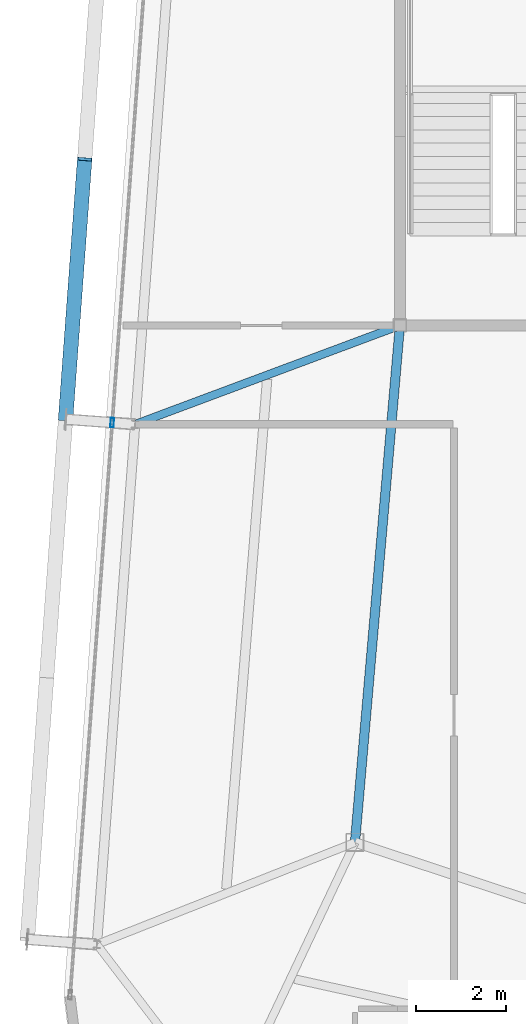
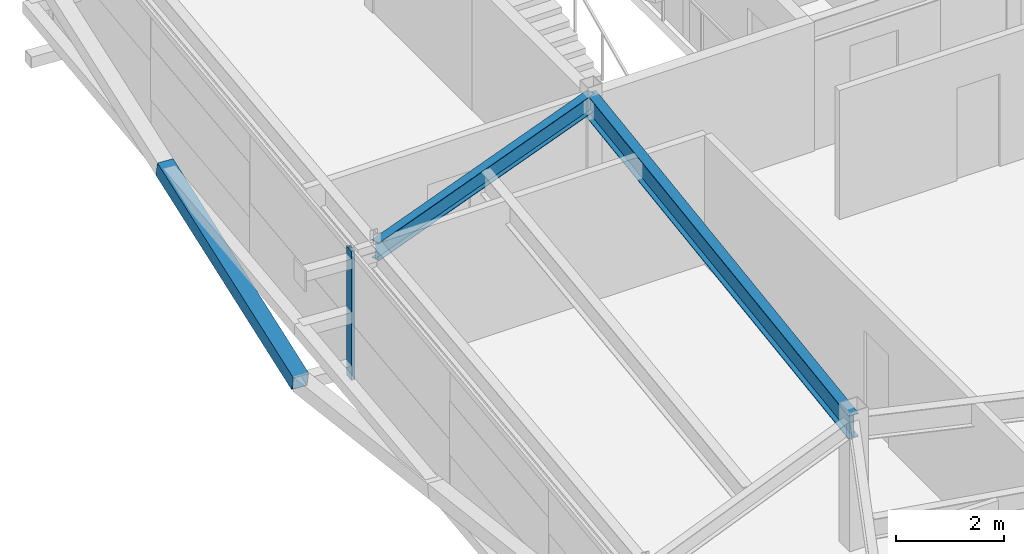
# One storey, part 13 of 34: 2 beams, 2 members, 1 element without a shape of its own.
"""IFC4 building model written with IfcOpenShell, lengths in metres."""

from ifc_helpers import new_model, si_unit, direction, frame, origin, origin_2d, place, context, subcontext, project, spatial, hollow_rectangle, i_section, extrude, source, transform, mapped, material, layer, layer_set, material_profile, profile_set, type_object, element, aggregate, save


model = new_model("IFC4")

# Units and contexts
model_context = context("Model", 3, precision=1e-05, world=origin(), true_north=direction((0.0, 1.0)))
body_context = subcontext(model_context, "Body", "Model", "MODEL_VIEW")
ifc_project = project(units=[si_unit("LENGTHUNIT", "METRE"), si_unit("AREAUNIT", "SQUARE_METRE"), si_unit("VOLUMEUNIT", "CUBIC_METRE"), si_unit("PLANEANGLEUNIT", "RADIAN"), si_unit("MASSUNIT", "GRAM", prefix="KILO")], contexts=[model_context])

# Site, building, storey
site_placement = place(None, origin())
site = spatial("IfcSite", under=ifc_project, at=site_placement, CompositionType="ELEMENT")
building_placement = place(site_placement, origin())
building = spatial("IfcBuilding", under=site, at=building_placement, Name="Taldren Reach Tower", CompositionType="ELEMENT")
storey_placement = place(building_placement, frame((0.0, 0.0, 239.75)))
storey = spatial("IfcBuildingStorey", under=building, at=storey_placement, Name="L73", CompositionType="ELEMENT", Elevation=239.75)

# Beams
ifc_material_1 = material(Name="Steel Gr 350 (350PLUS)", Category="steel")
ifc_material_profile_1 = material_profile(ifc_material_1, i_section(OverallWidth=0.208984375, OverallDepth=0.532958984375, WebThickness=0.01025390625, FlangeThickness=0.015625, at=origin_2d()), Name="530UB92.4")
ifc_profile_set_1 = profile_set([ifc_material_profile_1], Name="Steel Gr 350 (350PLUS)")
beam_type_1 = type_object("IfcBeamType", Name="BM-UB530A", PredefinedType="BEAM", material=ifc_profile_set_1)
shared_shape_1 = source(origin(), body_context, "Body", "SweptSolid", [
    extrude(i_section(OverallWidth=0.208984375, OverallDepth=0.532958984375, WebThickness=0.01025390625, FlangeThickness=0.015625, at=origin_2d()), origin(), (0.0, 0.0, 1.0), 11.54345703125),
])
beam_1_placement = place(storey_placement, frame((19.0, 24.0, 2.66357421875), z_axis=(-0.086629616365, -0.996240588196, 0.0), x_axis=(0.996240588196, -0.086629616365, 0.0)))
element("IfcBeam", 1, at=beam_1_placement, inside=storey, type_object=beam_type_1, Name="Core-spine girder L73-SP09", PredefinedType="BEAM", context=body_context, shape_type="MappedRepresentation", body=[
    mapped(shared_shape_1, transform((0.0, 0.0, 0.0), scale=1.0)),
])
ifc_material_profile_2 = material_profile(ifc_material_1, i_section(OverallWidth=0.177978515625, OverallDepth=0.406005859375, WebThickness=0.0078125, FlangeThickness=0.0126953125, at=origin_2d()), Name="410UB59.7")
ifc_profile_set_2 = profile_set([ifc_material_profile_2], Name="Steel Gr 350 (350PLUS)")
beam_type_2 = type_object("IfcBeamType", Name="BM-UB410", PredefinedType="BEAM", material=ifc_profile_set_2)
shared_shape_2 = source(origin(), body_context, "Body", "SweptSolid", [
    extrude(i_section(OverallWidth=0.177978515625, OverallDepth=0.406005859375, WebThickness=0.0078125, FlangeThickness=0.0126953125, at=origin_2d()), origin(), (0.0, 0.0, 1.0), 6.28857421875),
])
beam_2_placement = place(storey_placement, frame((19.0, 24.0, 2.72705078125), z_axis=(-0.936827605945, -0.349791418904, 0.0), x_axis=(0.349791418904, -0.936827605945, 0.0)))
element("IfcBeam", 2, at=beam_2_placement, inside=storey, type_object=beam_type_2, Name="Primary floor girder B5-W2 L73", PredefinedType="BEAM", context=body_context, shape_type="MappedRepresentation", body=[
    mapped(shared_shape_2, transform((0.0, 0.0, 0.0), scale=1.0)),
])

# Member
ifc_material_2 = material(Name="Steel Gr 450 (C450L0)", Category="steel")
ifc_material_profile_3 = material_profile(ifc_material_2, hollow_rectangle(XDim=0.324951171875, YDim=0.324951171875, WallThickness=0.0126953125, at=origin_2d()), Name="325x325x12.7SHS")
ifc_profile_set_3 = profile_set([ifc_material_profile_3], Name="Steel Gr 450 (C450L0)")
member_type_1 = type_object("IfcMemberType", Name="MB-BR324", PredefinedType="BRACE", material=ifc_profile_set_3)
shared_shape_3 = source(origin(), body_context, "Body", "SweptSolid", [
    extrude(hollow_rectangle(XDim=0.324951171875, YDim=0.324951171875, WallThickness=0.0126953125, at=origin_2d()), origin(), (0.0, 0.0, 1.0), 5.926025390625),
])
member_1_placement = place(storey_placement, frame((11.562744140625, 21.913818359375, 0.219970703125), z_axis=(0.071685935393, 0.976123486939, 0.205046494513), x_axis=(-0.997314185625, 0.073242167855, 0.0)))
element("IfcMember", 3, at=member_1_placement, inside=storey, type_object=member_type_1, Name="Exoskeleton Diagrid Brace B5-W2 L73", PredefinedType="BRACE", context=body_context, shape_type="MappedRepresentation", body=[
    mapped(shared_shape_3, transform((0.0, 0.0, 0.0), scale=1.0)),
])

# Curtain wall, member
ifc_material_3 = material(Name="Aluminium and Low-E Glass Unitised System", Category="aluminium")
ifc_layer = layer(ifc_material_3, 0.159912109375)
ifc_layer_set = layer_set([ifc_layer], Name="Aluminium and Low-E Glass Unitised System")
curtain_wall_type = type_object("IfcCurtainWallType", Name="CW-SYS-6", PredefinedType="NOTDEFINED", material=ifc_layer_set)
curtain_wall_placement = place(storey_placement, origin())
curtain_wall = element("IfcCurtainWall", 4, at=curtain_wall_placement, inside=storey, type_object=curtain_wall_type, Name="Unitised curtain wall CW-L73-W", PredefinedType="NOTDEFINED")
ifc_material_4 = material(Name="Anodised Aluminium 6063-T6", Category="aluminium")
ifc_material_profile_4 = material_profile(ifc_material_4, hollow_rectangle(XDim=0.074951171875, YDim=0.2099609375, WallThickness=0.00439453125, at=origin_2d()), Name="ALU-210x75x4.5RHS")
ifc_profile_set_4 = profile_set([ifc_material_profile_4], Name="Anodised Aluminium 6063-T6")
member_type_2 = type_object("IfcMemberType", Name="CW-MUL-200", PredefinedType="MULLION", material=ifc_profile_set_4)
shared_shape_4 = source(origin(), body_context, "Body", "SweptSolid", [
    extrude(hollow_rectangle(XDim=0.074951171875, YDim=0.2099609375, WallThickness=0.00439453125, at=origin_2d()), origin(), (0.0, 0.0, 1.0), 2.929931640625),
])
member_2_placement = place(storey_placement, frame((12.60009765625, 21.837646484375, 0.0), z_axis=(0.0, 0.0, 1.0), x_axis=(0.997314470951, -0.073238282558, 0.0)))
member_2 = element("IfcMember", 5, at=member_2_placement, type_object=member_type_2, Name="CW-6 mullion 2", PredefinedType="MULLION", context=body_context, shape_type="MappedRepresentation", body=[
    mapped(shared_shape_4, transform((0.0, 0.0, 0.0), scale=1.0)),
])
aggregate(curtain_wall, [member_2])

save(model, "model.ifc")
